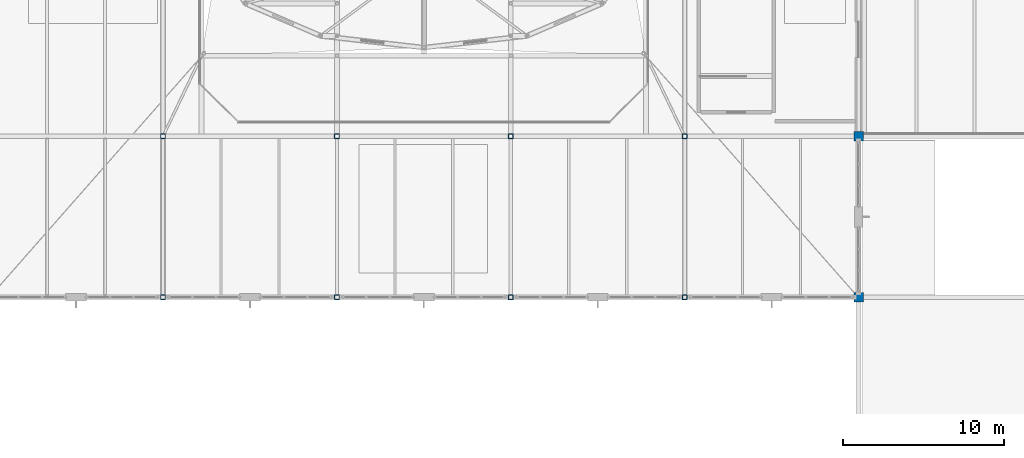
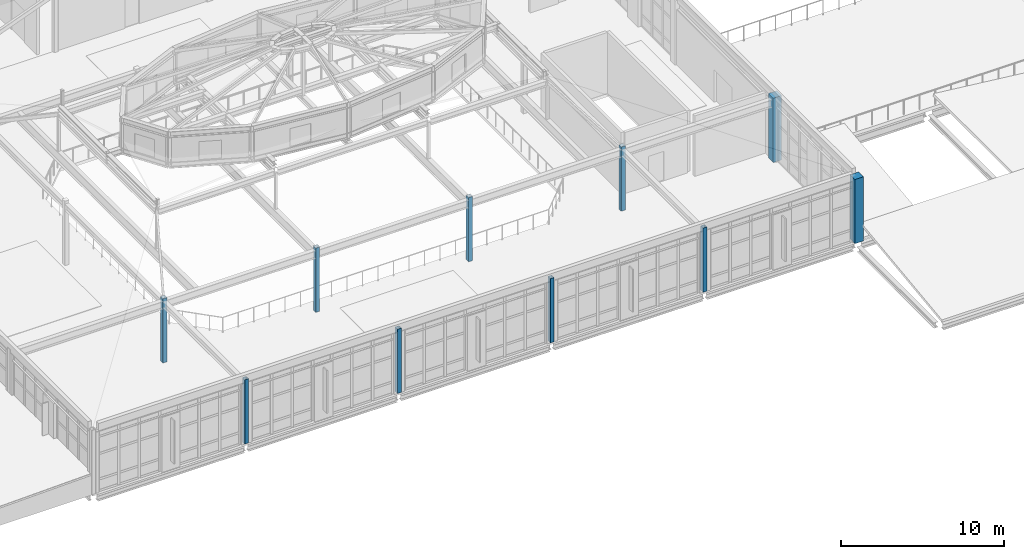
# One storey, part 4 of 86: 10 columns.
"""IFC4 building model written with IfcOpenShell, lengths in metres."""

from ifc_helpers import new_model, si_unit, direction, frame, origin, origin_2d, place, context, subcontext, project, spatial, rectangle, hollow_rectangle, extrude, material, material_profile, profile_set, type_object, element, save


model = new_model("IFC4")

# Units and contexts
model_context = context("Model", 3, precision=1e-05, world=origin(), true_north=direction((0.0, 1.0)))
body_context = subcontext(model_context, "Body", "Model", "MODEL_VIEW")
ifc_project = project(units=[si_unit("LENGTHUNIT", "METRE"), si_unit("AREAUNIT", "SQUARE_METRE"), si_unit("VOLUMEUNIT", "CUBIC_METRE"), si_unit("PLANEANGLEUNIT", "RADIAN"), si_unit("MASSUNIT", "GRAM", prefix="KILO")], contexts=[model_context])

# Site, building, storey
site_placement = place(None, origin())
site = spatial("IfcSite", under=ifc_project, at=site_placement, CompositionType="ELEMENT")
building_placement = place(site_placement, origin())
building = spatial("IfcBuilding", under=site, at=building_placement, Name="Tasgan Crest Museum", CompositionType="ELEMENT")
storey_placement = place(building_placement, frame((0.0, 0.0, 24.0)))
storey = spatial("IfcBuildingStorey", under=building, at=storey_placement, Name="L04", CompositionType="ELEMENT", Elevation=24.0)

# Columns
ifc_material_1 = material(Name="Concrete C40/50", Category="concrete")
ifc_material_profile_1 = material_profile(ifc_material_1, rectangle(XDim=0.60009765625, YDim=0.60009765625, at=origin_2d()), Name="RC 600x600")
ifc_profile_set_1 = profile_set([ifc_material_profile_1], Name="Concrete C40/50")
column_type_1 = type_object("IfcColumnType", Name="COL-RC600", PredefinedType="COLUMN", material=ifc_profile_set_1)
for number, where, z_axis, x_axis, name in (
    (1, (108.0, 40.0, 0.0), (0.0, 0.0, 1.0), (1.0, 0.0, 0.0), "Column 11/E L04"),
    (2, (108.0, 50.0, 0.0), (0.0, 0.0, 1.0), (1.0, 0.0, 0.0), "Column 11/F L04"),
):
    element("IfcColumn", number, at=place(storey_placement, frame(where, z_axis=z_axis, x_axis=x_axis)), inside=storey, type_object=column_type_1, Name=name, PredefinedType="COLUMN", context=body_context, shape_type="SweptSolid", body=[
        extrude(rectangle(XDim=0.60009765625, YDim=0.60009765625, at=origin_2d()), origin(), (0.0, 0.0, 1.0), 4.800048828125),
    ])
ifc_material_2 = material(Name="Steel S355K2", Category="steel")
ifc_material_profile_2 = material_profile(ifc_material_2, hollow_rectangle(XDim=0.300048828125, YDim=0.300048828125, WallThickness=0.01611328125, InnerFilletRadius=0.01611328125, OuterFilletRadius=0.031982421875, at=origin_2d()), Name="SHS 300x300x16")
ifc_profile_set_2 = profile_set([ifc_material_profile_2], Name="Steel S355K2")
column_type_2 = type_object("IfcColumnType", Name="COL-SHS300", PredefinedType="COLUMN", material=ifc_profile_set_2)
for number, where, z_axis, x_axis, name in (
    (3, (64.800048828125, 40.0, 0.0), (0.0, 0.0, 1.0), (1.0, 0.0, 0.0), "Column 7/E L04"),
    (4, (64.800048828125, 50.0, 0.0), (0.0, 0.0, 1.0), (1.0, 0.0, 0.0), "Column 7/F L04"),
    (5, (75.60009765625, 40.0, 0.0), (0.0, 0.0, 1.0), (1.0, 0.0, 0.0), "Column 8/E L04"),
    (6, (75.60009765625, 50.0, 0.0), (0.0, 0.0, 1.0), (1.0, 0.0, 0.0), "Column 8/F L04"),
    (7, (86.39990234375, 40.0, 0.0), (0.0, 0.0, 1.0), (1.0, 0.0, 0.0), "Column 9/E L04"),
    (8, (86.39990234375, 50.0, 0.0), (0.0, 0.0, 1.0), (1.0, 0.0, 0.0), "Column 9/F L04"),
    (9, (97.199951171875, 40.0, 0.0), (0.0, 0.0, 1.0), (1.0, 0.0, 0.0), "Column 10/E L04"),
    (10, (97.199951171875, 50.0, 0.0), (0.0, 0.0, 1.0), (1.0, 0.0, 0.0), "Column 10/F L04"),
):
    element("IfcColumn", number, at=place(storey_placement, frame(where, z_axis=z_axis, x_axis=x_axis)), inside=storey, type_object=column_type_2, Name=name, PredefinedType="COLUMN", context=body_context, shape_type="SweptSolid", body=[
        extrude(hollow_rectangle(XDim=0.300048828125, YDim=0.300048828125, WallThickness=0.01611328125, InnerFilletRadius=0.01611328125, OuterFilletRadius=0.031982421875, at=origin_2d()), origin(), (0.0, 0.0, 1.0), 4.800048828125),
    ])

save(model, "model.ifc")
